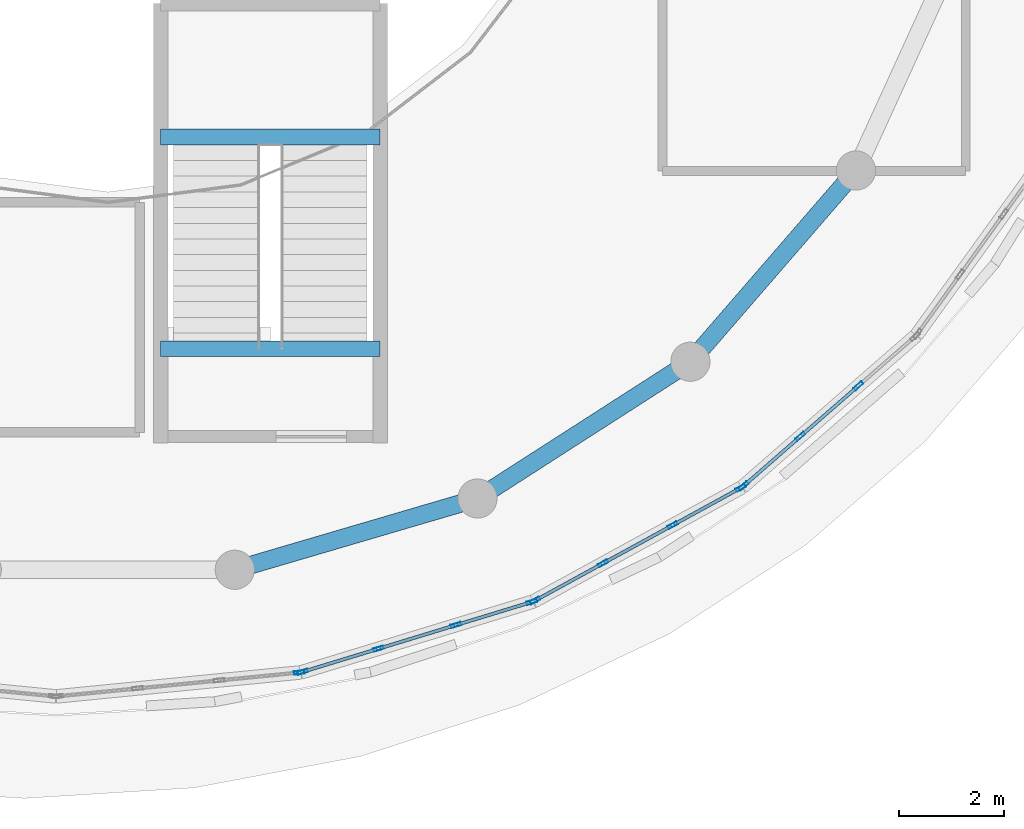
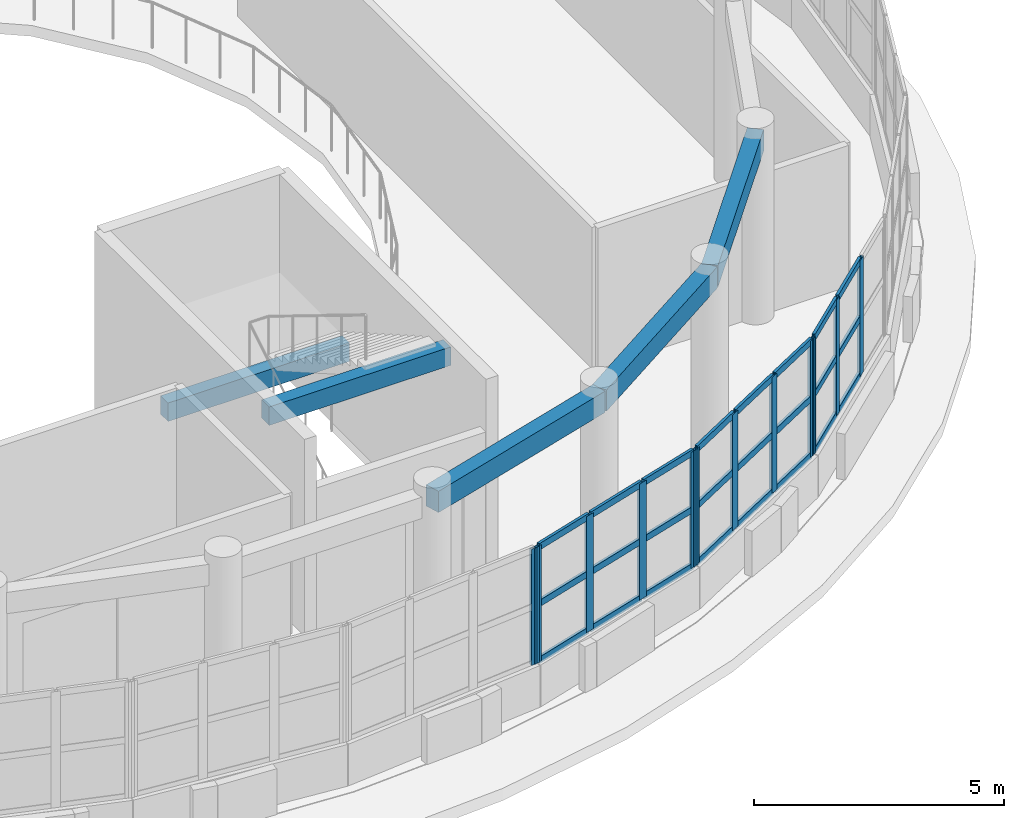
# One storey, part 23 of 98: 36 members, 5 beams, 4 elements without a shape of their own.
"""IFC4 building model written with IfcOpenShell, lengths in metres."""

from ifc_helpers import new_model, si_unit, direction, frame, origin, origin_2d, place, context, subcontext, project, spatial, rectangle, hollow_rectangle, extrude, material, layer, layer_set, material_profile, profile_set, type_object, element, aggregate, save


model = new_model("IFC4")

# Units and contexts
model_context = context("Model", 3, precision=1e-05, world=origin(), true_north=direction((0.0, 1.0)))
body_context = subcontext(model_context, "Body", "Model", "MODEL_VIEW")
ifc_project = project(units=[si_unit("LENGTHUNIT", "METRE"), si_unit("AREAUNIT", "SQUARE_METRE"), si_unit("VOLUMEUNIT", "CUBIC_METRE"), si_unit("PLANEANGLEUNIT", "RADIAN"), si_unit("MASSUNIT", "GRAM", prefix="KILO")], contexts=[model_context])

# Site, building, storey
site_placement = place(None, origin())
site = spatial("IfcSite", under=ifc_project, at=site_placement, CompositionType="ELEMENT")
building_placement = place(site_placement, origin())
building = spatial("IfcBuilding", under=site, at=building_placement, Name="Pelvatis Terrace Science Centre", CompositionType="ELEMENT")
storey_placement = place(building_placement, frame((0.0, 0.0, 5.39990234375)))
storey = spatial("IfcBuildingStorey", under=building, at=storey_placement, Name="L01", CompositionType="ELEMENT", Elevation=5.39990234375)

# Beams
ifc_material_1 = material(Name="Concrete C35/45", Category="concrete")
ifc_material_profile_1 = material_profile(ifc_material_1, rectangle(XDim=0.300048828125, YDim=0.449951171875, at=origin_2d()), Name="RC-BM 300x450")
ifc_profile_set_1 = profile_set([ifc_material_profile_1], Name="Concrete C35/45")
beam_type_1 = type_object("IfcBeamType", Name="BM-RC-300x450", PredefinedType="BEAM", material=ifc_profile_set_1)
for number, where, z_axis, x_axis, name in (
    (1, (79.0, 42.0, 4.320068359375), (1.0, 0.0, 0.0), (0.0, 1.0, 0.0), "Stair ST-06 header beam (L01)"),
    (2, (79.0, 46.050048828125, 1.960205078125), (1.0, 0.0, 0.0), (0.0, 1.0, 0.0), "Stair ST-06 half-landing beam (L01)"),
):
    element("IfcBeam", number, at=place(storey_placement, frame(where, z_axis=z_axis, x_axis=x_axis)), inside=storey, type_object=beam_type_1, Name=name, PredefinedType="BEAM", context=body_context, shape_type="SweptSolid", body=[
        extrude(rectangle(XDim=0.300048828125, YDim=0.449951171875, at=origin_2d()), origin(), (0.0, 0.0, 1.0), 4.199951171875),
    ])
ifc_material_2 = material(Name="Concrete C35/45", Category="concrete")
ifc_material_profile_2 = material_profile(ifc_material_2, rectangle(XDim=0.340087890625, YDim=0.52001953125, at=origin_2d()), Name="RC-BM 340x520")
ifc_profile_set_2 = profile_set([ifc_material_profile_2], Name="Concrete C35/45")
beam_type_2 = type_object("IfcBeamType", Name="BM-RC-340x520", PredefinedType="BEAM", material=ifc_profile_set_2)
for number, where, z_axis, x_axis, name in (
    (3, (80.41943359375, 37.77294921875, 4.280029296875), (0.959487536584, 0.281751073006, 0.0), (-0.281751073006, 0.959487536584, 0.0), "Beam BM-L01-2581"),
    (4, (85.06201171875, 39.13623046875, 4.280029296875), (0.841255517216, 0.540637729681, 0.0), (-0.540637729681, 0.841255517216, 0.0), "Beam BM-L01-2582"),
):
    element("IfcBeam", number, at=place(storey_placement, frame(where, z_axis=z_axis, x_axis=x_axis)), inside=storey, type_object=beam_type_2, Name=name, PredefinedType="BEAM", context=body_context, shape_type="SweptSolid", body=[
        extrude(rectangle(XDim=0.340087890625, YDim=0.52001953125, at=origin_2d()), origin(), (0.0, 0.0, 1.0), 4.838623046875),
    ])
beam_placement = place(storey_placement, frame((89.132568359375, 41.752197265625, 4.280029296875), z_axis=(0.654849858597, 0.75575899776, 0.0), x_axis=(-0.75575899776, 0.654849858597, 0.0)))
element("IfcBeam", 5, at=beam_placement, inside=storey, type_object=beam_type_2, Name="Beam BM-L01-2583", PredefinedType="BEAM", context=body_context, shape_type="SweptSolid", body=[
    extrude(rectangle(XDim=0.340087890625, YDim=0.52001953125, at=origin_2d()), origin(), (0.0, 0.0, 1.0), 4.8388671875),
])

# Curtain wall, member
ifc_material_3 = material(Name="Bronze-anodised aluminium and laminated glass", Category="aluminium")
ifc_layer = layer(ifc_material_3, 0.199951171875)
ifc_layer_set = layer_set([ifc_layer], Name="Bronze-anodised aluminium and laminated glass")
curtain_wall_type = type_object("IfcCurtainWallType", Name="CW-RIBBON-B", PredefinedType="NOTDEFINED", material=ifc_layer_set)
curtain_wall_1_placement = place(storey_placement, origin())
curtain_wall_1 = element("IfcCurtainWall", 6, at=curtain_wall_1_placement, inside=storey, type_object=curtain_wall_type, Name="Ribbon curtain wall CW-070 (L01)", PredefinedType="NOTDEFINED")
ifc_material_4 = material(Name="Bronze-anodised aluminium 6063-T6", Category="aluminium")
ifc_material_profile_3 = material_profile(ifc_material_4, hollow_rectangle(XDim=0.06494140625, YDim=0.199951171875, WallThickness=0.00439453125, at=origin_2d()), Name="ALU-MUL 65x200")
ifc_profile_set_3 = profile_set([ifc_material_profile_3], Name="Bronze-anodised aluminium 6063-T6")
member_type_1 = type_object("IfcMemberType", Name="CWM-65x200", PredefinedType="MULLION", material=ifc_profile_set_3)
member_1_placement = place(storey_placement, frame((81.65185546875, 35.806884765625, 1.02001953125), z_axis=(0.0, 0.0, 1.0), x_axis=(-0.097755456789, 0.995210465514, 0.0)))
member_1 = element("IfcMember", 7, at=member_1_placement, type_object=member_type_1, Name="CW-070 mullion 4", PredefinedType="MULLION", context=body_context, shape_type="SweptSolid", body=[
    extrude(hollow_rectangle(XDim=0.06494140625, YDim=0.199951171875, WallThickness=0.00439453125, at=origin_2d()), origin(), (0.0, 0.0, 1.0), 2.840087890625),
])
aggregate(curtain_wall_1, [member_1])

# Curtain wall, members
curtain_wall_2_placement = place(storey_placement, origin())
curtain_wall_2 = element("IfcCurtainWall", 8, at=curtain_wall_2_placement, inside=storey, type_object=curtain_wall_type, Name="Ribbon curtain wall CW-071 (L01)", PredefinedType="NOTDEFINED")
member_2_placement = place(storey_placement, frame((81.715087890625, 35.819580078125, 1.02001953125), z_axis=(0.0, 0.0, 1.0), x_axis=(-0.291750973492, 0.956494312302, 0.0)))
member_2 = element("IfcMember", 9, at=member_2_placement, type_object=member_type_1, Name="CW-071 mullion 1", PredefinedType="MULLION", context=body_context, shape_type="SweptSolid", body=[
    extrude(hollow_rectangle(XDim=0.06494140625, YDim=0.199951171875, WallThickness=0.00439453125, at=origin_2d()), origin(), (0.0, 0.0, 1.0), 2.840087890625),
])
member_3_placement = place(storey_placement, frame((83.167236328125, 36.262451171875, 1.02001953125), z_axis=(0.0, 0.0, 1.0), x_axis=(-0.291750973492, 0.956494312302, 0.0)))
member_3 = element("IfcMember", 10, at=member_3_placement, type_object=member_type_1, Name="CW-071 mullion 2", PredefinedType="MULLION", context=body_context, shape_type="SweptSolid", body=[
    extrude(hollow_rectangle(XDim=0.06494140625, YDim=0.199951171875, WallThickness=0.00439453125, at=origin_2d()), origin(), (0.0, 0.0, 1.0), 2.840087890625),
])
member_4_placement = place(storey_placement, frame((84.650146484375, 36.71484375, 1.02001953125), z_axis=(0.0, 0.0, 1.0), x_axis=(-0.291750973492, 0.956494312302, 0.0)))
member_4 = element("IfcMember", 11, at=member_4_placement, type_object=member_type_1, Name="CW-071 mullion 3", PredefinedType="MULLION", context=body_context, shape_type="SweptSolid", body=[
    extrude(hollow_rectangle(XDim=0.06494140625, YDim=0.199951171875, WallThickness=0.00439453125, at=origin_2d()), origin(), (0.0, 0.0, 1.0), 2.840087890625),
])
member_5_placement = place(storey_placement, frame((86.102294921875, 37.15771484375, 1.02001953125), z_axis=(0.0, 0.0, 1.0), x_axis=(-0.291750973492, 0.956494312302, 0.0)))
member_5 = element("IfcMember", 12, at=member_5_placement, type_object=member_type_1, Name="CW-071 mullion 4", PredefinedType="MULLION", context=body_context, shape_type="SweptSolid", body=[
    extrude(hollow_rectangle(XDim=0.06494140625, YDim=0.199951171875, WallThickness=0.00439453125, at=origin_2d()), origin(), (0.0, 0.0, 1.0), 2.840087890625),
])

curtain_wall_3_placement = place(storey_placement, origin())
curtain_wall_3 = element("IfcCurtainWall", 13, at=curtain_wall_3_placement, inside=storey, type_object=curtain_wall_type, Name="Ribbon curtain wall CW-072 (L01)", PredefinedType="NOTDEFINED")
member_6_placement = place(storey_placement, frame((86.161865234375, 37.182861328125, 1.02001953125), z_axis=(0.0, 0.0, 1.0), x_axis=(-0.480406389857, 0.877046008248, 0.0)))
member_6 = element("IfcMember", 14, at=member_6_placement, type_object=member_type_1, Name="CW-072 mullion 1", PredefinedType="MULLION", context=body_context, shape_type="SweptSolid", body=[
    extrude(hollow_rectangle(XDim=0.06494140625, YDim=0.199951171875, WallThickness=0.00439453125, at=origin_2d()), origin(), (0.0, 0.0, 1.0), 2.840087890625),
])
member_7_placement = place(storey_placement, frame((87.463623046875, 37.89599609375, 1.02001953125), z_axis=(0.0, 0.0, 1.0), x_axis=(-0.480406389857, 0.877046008248, 0.0)))
member_7 = element("IfcMember", 15, at=member_7_placement, type_object=member_type_1, Name="CW-072 mullion 2", PredefinedType="MULLION", context=body_context, shape_type="SweptSolid", body=[
    extrude(hollow_rectangle(XDim=0.06494140625, YDim=0.199951171875, WallThickness=0.00439453125, at=origin_2d()), origin(), (0.0, 0.0, 1.0), 2.840087890625),
])
member_8_placement = place(storey_placement, frame((88.794189453125, 38.624755859375, 1.02001953125), z_axis=(0.0, 0.0, 1.0), x_axis=(-0.480406389857, 0.877046008248, 0.0)))
member_8 = element("IfcMember", 16, at=member_8_placement, type_object=member_type_1, Name="CW-072 mullion 3", PredefinedType="MULLION", context=body_context, shape_type="SweptSolid", body=[
    extrude(hollow_rectangle(XDim=0.06494140625, YDim=0.199951171875, WallThickness=0.00439453125, at=origin_2d()), origin(), (0.0, 0.0, 1.0), 2.840087890625),
])
member_9_placement = place(storey_placement, frame((90.095947265625, 39.337890625, 1.02001953125), z_axis=(0.0, 0.0, 1.0), x_axis=(-0.480406389857, 0.877046008248, 0.0)))
member_9 = element("IfcMember", 17, at=member_9_placement, type_object=member_type_1, Name="CW-072 mullion 4", PredefinedType="MULLION", context=body_context, shape_type="SweptSolid", body=[
    extrude(hollow_rectangle(XDim=0.06494140625, YDim=0.199951171875, WallThickness=0.00439453125, at=origin_2d()), origin(), (0.0, 0.0, 1.0), 2.840087890625),
])

curtain_wall_4_placement = place(storey_placement, origin())
curtain_wall_4 = element("IfcCurtainWall", 18, at=curtain_wall_4_placement, inside=storey, type_object=curtain_wall_type, Name="Ribbon curtain wall CW-073 (L01)", PredefinedType="NOTDEFINED")
member_10_placement = place(storey_placement, frame((90.14892578125, 39.374755859375, 1.02001953125), z_axis=(0.0, 0.0, 1.0), x_axis=(-0.657112137007, 0.753792835863, 0.0)))
member_10 = element("IfcMember", 19, at=member_10_placement, type_object=member_type_1, Name="CW-073 mullion 1", PredefinedType="MULLION", context=body_context, shape_type="SweptSolid", body=[
    extrude(hollow_rectangle(XDim=0.06494140625, YDim=0.199951171875, WallThickness=0.00439453125, at=origin_2d()), origin(), (0.0, 0.0, 1.0), 2.840087890625),
])
member_11_placement = place(storey_placement, frame((91.235595703125, 40.322021484375, 1.02001953125), z_axis=(0.0, 0.0, 1.0), x_axis=(-0.657112137007, 0.753792835863, 0.0)))
member_11 = element("IfcMember", 20, at=member_11_placement, type_object=member_type_1, Name="CW-073 mullion 2", PredefinedType="MULLION", context=body_context, shape_type="SweptSolid", body=[
    extrude(hollow_rectangle(XDim=0.06494140625, YDim=0.199951171875, WallThickness=0.00439453125, at=origin_2d()), origin(), (0.0, 0.0, 1.0), 2.840087890625),
])
member_12_placement = place(storey_placement, frame((92.3466796875, 41.29052734375, 1.02001953125), z_axis=(0.0, 0.0, 1.0), x_axis=(-0.657112137007, 0.753792835863, 0.0)))
member_12 = element("IfcMember", 21, at=member_12_placement, type_object=member_type_1, Name="CW-073 mullion 3", PredefinedType="MULLION", context=body_context, shape_type="SweptSolid", body=[
    extrude(hollow_rectangle(XDim=0.06494140625, YDim=0.199951171875, WallThickness=0.00439453125, at=origin_2d()), origin(), (0.0, 0.0, 1.0), 2.840087890625),
])

# Member
ifc_material_5 = material(Name="Bronze-anodised aluminium 6063-T6", Category="aluminium")
ifc_material_profile_4 = material_profile(ifc_material_5, hollow_rectangle(XDim=0.06494140625, YDim=0.159912109375, WallThickness=0.00390625, at=origin_2d()), Name="ALU-TRN 65x160")
ifc_profile_set_4 = profile_set([ifc_material_profile_4], Name="Bronze-anodised aluminium 6063-T6")
member_type_2 = type_object("IfcMemberType", Name="CWT-65x160", PredefinedType="USERDEFINED", material=ifc_profile_set_4)
member_13_placement = place(storey_placement, frame((81.746337890625, 35.8291015625, 1.052490234375), z_axis=(0.956502764857, 0.29172326068, 0.0), x_axis=(-0.29172326068, 0.956502764857, 0.0)))
member_13 = element("IfcMember", 22, at=member_13_placement, type_object=member_type_2, Name="CW-071 transom 1.1", ObjectType="TRANSOM", PredefinedType="USERDEFINED", context=body_context, shape_type="SweptSolid", body=[
    extrude(hollow_rectangle(XDim=0.06494140625, YDim=0.159912109375, WallThickness=0.00390625, at=origin_2d()), origin(), (0.0, 0.0, 1.0), 1.452880859375),
])

member_14_placement = place(storey_placement, frame((81.746337890625, 35.8291015625, 2.440185546875), z_axis=(0.956502764857, 0.29172326068, 0.0), x_axis=(-0.29172326068, 0.956502764857, 0.0)))
member_14 = element("IfcMember", 23, at=member_14_placement, type_object=member_type_2, Name="CW-071 transom 1.2", ObjectType="TRANSOM", PredefinedType="USERDEFINED", context=body_context, shape_type="SweptSolid", body=[
    extrude(hollow_rectangle(XDim=0.06494140625, YDim=0.159912109375, WallThickness=0.00390625, at=origin_2d()), origin(), (0.0, 0.0, 1.0), 1.452880859375),
])

member_15_placement = place(storey_placement, frame((81.746337890625, 35.8291015625, 3.82763671875), z_axis=(0.956502764857, 0.29172326068, 0.0), x_axis=(-0.29172326068, 0.956502764857, 0.0)))
member_15 = element("IfcMember", 24, at=member_15_placement, type_object=member_type_2, Name="CW-071 transom 1.3", ObjectType="TRANSOM", PredefinedType="USERDEFINED", context=body_context, shape_type="SweptSolid", body=[
    extrude(hollow_rectangle(XDim=0.06494140625, YDim=0.159912109375, WallThickness=0.00390625, at=origin_2d()), origin(), (0.0, 0.0, 1.0), 1.452880859375),
])

member_16_placement = place(storey_placement, frame((83.1982421875, 36.27197265625, 1.052490234375), z_axis=(0.95650453731, 0.291717449094, 0.0), x_axis=(-0.291717449094, 0.95650453731, 0.0)))
member_16 = element("IfcMember", 25, at=member_16_placement, type_object=member_type_2, Name="CW-071 transom 2.1", ObjectType="TRANSOM", PredefinedType="USERDEFINED", context=body_context, shape_type="SweptSolid", body=[
    extrude(hollow_rectangle(XDim=0.06494140625, YDim=0.159912109375, WallThickness=0.00390625, at=origin_2d()), origin(), (0.0, 0.0, 1.0), 1.485595703125),
])

member_17_placement = place(storey_placement, frame((83.1982421875, 36.27197265625, 2.440185546875), z_axis=(0.95650453731, 0.291717449094, 0.0), x_axis=(-0.291717449094, 0.95650453731, 0.0)))
member_17 = element("IfcMember", 26, at=member_17_placement, type_object=member_type_2, Name="CW-071 transom 2.2", ObjectType="TRANSOM", PredefinedType="USERDEFINED", context=body_context, shape_type="SweptSolid", body=[
    extrude(hollow_rectangle(XDim=0.06494140625, YDim=0.159912109375, WallThickness=0.00390625, at=origin_2d()), origin(), (0.0, 0.0, 1.0), 1.485595703125),
])

member_18_placement = place(storey_placement, frame((83.1982421875, 36.27197265625, 3.82763671875), z_axis=(0.95650453731, 0.291717449094, 0.0), x_axis=(-0.291717449094, 0.95650453731, 0.0)))
member_18 = element("IfcMember", 27, at=member_18_placement, type_object=member_type_2, Name="CW-071 transom 2.3", ObjectType="TRANSOM", PredefinedType="USERDEFINED", context=body_context, shape_type="SweptSolid", body=[
    extrude(hollow_rectangle(XDim=0.06494140625, YDim=0.159912109375, WallThickness=0.00390625, at=origin_2d()), origin(), (0.0, 0.0, 1.0), 1.485595703125),
])

member_19_placement = place(storey_placement, frame((84.681396484375, 36.724365234375, 1.052490234375), z_axis=(0.956502764857, 0.29172326068, 0.0), x_axis=(-0.29172326068, 0.956502764857, 0.0)))
member_19 = element("IfcMember", 28, at=member_19_placement, type_object=member_type_2, Name="CW-071 transom 3.1", ObjectType="TRANSOM", PredefinedType="USERDEFINED", context=body_context, shape_type="SweptSolid", body=[
    extrude(hollow_rectangle(XDim=0.06494140625, YDim=0.159912109375, WallThickness=0.00390625, at=origin_2d()), origin(), (0.0, 0.0, 1.0), 1.452880859375),
])

member_20_placement = place(storey_placement, frame((84.681396484375, 36.724365234375, 2.440185546875), z_axis=(0.956502764857, 0.29172326068, 0.0), x_axis=(-0.29172326068, 0.956502764857, 0.0)))
member_20 = element("IfcMember", 29, at=member_20_placement, type_object=member_type_2, Name="CW-071 transom 3.2", ObjectType="TRANSOM", PredefinedType="USERDEFINED", context=body_context, shape_type="SweptSolid", body=[
    extrude(hollow_rectangle(XDim=0.06494140625, YDim=0.159912109375, WallThickness=0.00390625, at=origin_2d()), origin(), (0.0, 0.0, 1.0), 1.452880859375),
])

member_21_placement = place(storey_placement, frame((84.681396484375, 36.724365234375, 3.82763671875), z_axis=(0.956502764857, 0.29172326068, 0.0), x_axis=(-0.29172326068, 0.956502764857, 0.0)))
member_21 = element("IfcMember", 30, at=member_21_placement, type_object=member_type_2, Name="CW-071 transom 3.3", ObjectType="TRANSOM", PredefinedType="USERDEFINED", context=body_context, shape_type="SweptSolid", body=[
    extrude(hollow_rectangle(XDim=0.06494140625, YDim=0.159912109375, WallThickness=0.00390625, at=origin_2d()), origin(), (0.0, 0.0, 1.0), 1.452880859375),
])

aggregate(curtain_wall_2, [member_2, member_3, member_4, member_5, member_13, member_14, member_15, member_16, member_17, member_18, member_19, member_20, member_21])

member_22_placement = place(storey_placement, frame((86.1904296875, 37.198486328125, 1.052490234375), z_axis=(0.877046229771, 0.480405985438, 0.0), x_axis=(-0.480405985438, 0.877046229771, 0.0)))
member_22 = element("IfcMember", 31, at=member_22_placement, type_object=member_type_2, Name="CW-072 transom 1.1", ObjectType="TRANSOM", PredefinedType="USERDEFINED", context=body_context, shape_type="SweptSolid", body=[
    extrude(hollow_rectangle(XDim=0.06494140625, YDim=0.159912109375, WallThickness=0.00390625, at=origin_2d()), origin(), (0.0, 0.0, 1.0), 1.41943359375),
])

member_23_placement = place(storey_placement, frame((86.1904296875, 37.198486328125, 2.440185546875), z_axis=(0.877046229771, 0.480405985438, 0.0), x_axis=(-0.480405985438, 0.877046229771, 0.0)))
member_23 = element("IfcMember", 32, at=member_23_placement, type_object=member_type_2, Name="CW-072 transom 1.2", ObjectType="TRANSOM", PredefinedType="USERDEFINED", context=body_context, shape_type="SweptSolid", body=[
    extrude(hollow_rectangle(XDim=0.06494140625, YDim=0.159912109375, WallThickness=0.00390625, at=origin_2d()), origin(), (0.0, 0.0, 1.0), 1.41943359375),
])

member_24_placement = place(storey_placement, frame((86.1904296875, 37.198486328125, 3.82763671875), z_axis=(0.877046229771, 0.480405985438, 0.0), x_axis=(-0.480405985438, 0.877046229771, 0.0)))
member_24 = element("IfcMember", 33, at=member_24_placement, type_object=member_type_2, Name="CW-072 transom 1.3", ObjectType="TRANSOM", PredefinedType="USERDEFINED", context=body_context, shape_type="SweptSolid", body=[
    extrude(hollow_rectangle(XDim=0.06494140625, YDim=0.159912109375, WallThickness=0.00390625, at=origin_2d()), origin(), (0.0, 0.0, 1.0), 1.41943359375),
])

member_25_placement = place(storey_placement, frame((87.4921875, 37.91162109375, 1.052490234375), z_axis=(0.877052412621, 0.480394697634, 0.0), x_axis=(-0.480394697634, 0.877052412621, 0.0)))
member_25 = element("IfcMember", 34, at=member_25_placement, type_object=member_type_2, Name="CW-072 transom 2.1", ObjectType="TRANSOM", PredefinedType="USERDEFINED", context=body_context, shape_type="SweptSolid", body=[
    extrude(hollow_rectangle(XDim=0.06494140625, YDim=0.159912109375, WallThickness=0.00390625, at=origin_2d()), origin(), (0.0, 0.0, 1.0), 1.451904296875),
])

member_26_placement = place(storey_placement, frame((87.4921875, 37.91162109375, 2.440185546875), z_axis=(0.877052412621, 0.480394697634, 0.0), x_axis=(-0.480394697634, 0.877052412621, 0.0)))
member_26 = element("IfcMember", 35, at=member_26_placement, type_object=member_type_2, Name="CW-072 transom 2.2", ObjectType="TRANSOM", PredefinedType="USERDEFINED", context=body_context, shape_type="SweptSolid", body=[
    extrude(hollow_rectangle(XDim=0.06494140625, YDim=0.159912109375, WallThickness=0.00390625, at=origin_2d()), origin(), (0.0, 0.0, 1.0), 1.451904296875),
])

member_27_placement = place(storey_placement, frame((87.4921875, 37.91162109375, 3.82763671875), z_axis=(0.877052412621, 0.480394697634, 0.0), x_axis=(-0.480394697634, 0.877052412621, 0.0)))
member_27 = element("IfcMember", 36, at=member_27_placement, type_object=member_type_2, Name="CW-072 transom 2.3", ObjectType="TRANSOM", PredefinedType="USERDEFINED", context=body_context, shape_type="SweptSolid", body=[
    extrude(hollow_rectangle(XDim=0.06494140625, YDim=0.159912109375, WallThickness=0.00390625, at=origin_2d()), origin(), (0.0, 0.0, 1.0), 1.451904296875),
])

member_28_placement = place(storey_placement, frame((88.822509765625, 38.640380859375, 1.052490234375), z_axis=(0.877046229771, 0.480405985438, 0.0), x_axis=(-0.480405985438, 0.877046229771, 0.0)))
member_28 = element("IfcMember", 37, at=member_28_placement, type_object=member_type_2, Name="CW-072 transom 3.1", ObjectType="TRANSOM", PredefinedType="USERDEFINED", context=body_context, shape_type="SweptSolid", body=[
    extrude(hollow_rectangle(XDim=0.06494140625, YDim=0.159912109375, WallThickness=0.00390625, at=origin_2d()), origin(), (0.0, 0.0, 1.0), 1.41943359375),
])

member_29_placement = place(storey_placement, frame((88.822509765625, 38.640380859375, 2.440185546875), z_axis=(0.877046229771, 0.480405985438, 0.0), x_axis=(-0.480405985438, 0.877046229771, 0.0)))
member_29 = element("IfcMember", 38, at=member_29_placement, type_object=member_type_2, Name="CW-072 transom 3.2", ObjectType="TRANSOM", PredefinedType="USERDEFINED", context=body_context, shape_type="SweptSolid", body=[
    extrude(hollow_rectangle(XDim=0.06494140625, YDim=0.159912109375, WallThickness=0.00390625, at=origin_2d()), origin(), (0.0, 0.0, 1.0), 1.41943359375),
])

member_30_placement = place(storey_placement, frame((88.822509765625, 38.640380859375, 3.82763671875), z_axis=(0.877046229771, 0.480405985438, 0.0), x_axis=(-0.480405985438, 0.877046229771, 0.0)))
member_30 = element("IfcMember", 39, at=member_30_placement, type_object=member_type_2, Name="CW-072 transom 3.3", ObjectType="TRANSOM", PredefinedType="USERDEFINED", context=body_context, shape_type="SweptSolid", body=[
    extrude(hollow_rectangle(XDim=0.06494140625, YDim=0.159912109375, WallThickness=0.00390625, at=origin_2d()), origin(), (0.0, 0.0, 1.0), 1.41943359375),
])

aggregate(curtain_wall_3, [member_6, member_7, member_8, member_9, member_22, member_23, member_24, member_25, member_26, member_27, member_28, member_29, member_30])

member_31_placement = place(storey_placement, frame((90.173583984375, 39.39599609375, 1.052490234375), z_axis=(0.753707391379, 0.657210140047, 0.0), x_axis=(-0.657210140047, 0.753707391379, 0.0)))
member_31 = element("IfcMember", 40, at=member_31_placement, type_object=member_type_2, Name="CW-073 transom 1.1", ObjectType="TRANSOM", PredefinedType="USERDEFINED", context=body_context, shape_type="SweptSolid", body=[
    extrude(hollow_rectangle(XDim=0.06494140625, YDim=0.159912109375, WallThickness=0.00390625, at=origin_2d()), origin(), (0.0, 0.0, 1.0), 1.376220703125),
])

member_32_placement = place(storey_placement, frame((90.173583984375, 39.39599609375, 2.440185546875), z_axis=(0.753707391379, 0.657210140047, 0.0), x_axis=(-0.657210140047, 0.753707391379, 0.0)))
member_32 = element("IfcMember", 41, at=member_32_placement, type_object=member_type_2, Name="CW-073 transom 1.2", ObjectType="TRANSOM", PredefinedType="USERDEFINED", context=body_context, shape_type="SweptSolid", body=[
    extrude(hollow_rectangle(XDim=0.06494140625, YDim=0.159912109375, WallThickness=0.00390625, at=origin_2d()), origin(), (0.0, 0.0, 1.0), 1.376220703125),
])

member_33_placement = place(storey_placement, frame((90.173583984375, 39.39599609375, 3.82763671875), z_axis=(0.753707391379, 0.657210140047, 0.0), x_axis=(-0.657210140047, 0.753707391379, 0.0)))
member_33 = element("IfcMember", 42, at=member_33_placement, type_object=member_type_2, Name="CW-073 transom 1.3", ObjectType="TRANSOM", PredefinedType="USERDEFINED", context=body_context, shape_type="SweptSolid", body=[
    extrude(hollow_rectangle(XDim=0.06494140625, YDim=0.159912109375, WallThickness=0.00390625, at=origin_2d()), origin(), (0.0, 0.0, 1.0), 1.376220703125),
])

member_34_placement = place(storey_placement, frame((91.260009765625, 40.34326171875, 1.052490234375), z_axis=(0.753799139893, 0.657104905397, 0.0), x_axis=(-0.657104905397, 0.753799139893, 0.0)))
member_34 = element("IfcMember", 43, at=member_34_placement, type_object=member_type_2, Name="CW-073 transom 2.1", ObjectType="TRANSOM", PredefinedType="USERDEFINED", context=body_context, shape_type="SweptSolid", body=[
    extrude(hollow_rectangle(XDim=0.06494140625, YDim=0.159912109375, WallThickness=0.00390625, at=origin_2d()), origin(), (0.0, 0.0, 1.0), 1.408935546875),
])

member_35_placement = place(storey_placement, frame((91.260009765625, 40.34326171875, 2.440185546875), z_axis=(0.753799139893, 0.657104905397, 0.0), x_axis=(-0.657104905397, 0.753799139893, 0.0)))
member_35 = element("IfcMember", 44, at=member_35_placement, type_object=member_type_2, Name="CW-073 transom 2.2", ObjectType="TRANSOM", PredefinedType="USERDEFINED", context=body_context, shape_type="SweptSolid", body=[
    extrude(hollow_rectangle(XDim=0.06494140625, YDim=0.159912109375, WallThickness=0.00390625, at=origin_2d()), origin(), (0.0, 0.0, 1.0), 1.408935546875),
])

member_36_placement = place(storey_placement, frame((91.260009765625, 40.34326171875, 3.82763671875), z_axis=(0.753799139893, 0.657104905397, 0.0), x_axis=(-0.657104905397, 0.753799139893, 0.0)))
member_36 = element("IfcMember", 45, at=member_36_placement, type_object=member_type_2, Name="CW-073 transom 2.3", ObjectType="TRANSOM", PredefinedType="USERDEFINED", context=body_context, shape_type="SweptSolid", body=[
    extrude(hollow_rectangle(XDim=0.06494140625, YDim=0.159912109375, WallThickness=0.00390625, at=origin_2d()), origin(), (0.0, 0.0, 1.0), 1.408935546875),
])

aggregate(curtain_wall_4, [member_10, member_11, member_12, member_31, member_32, member_33, member_34, member_35, member_36])

save(model, "model.ifc")
